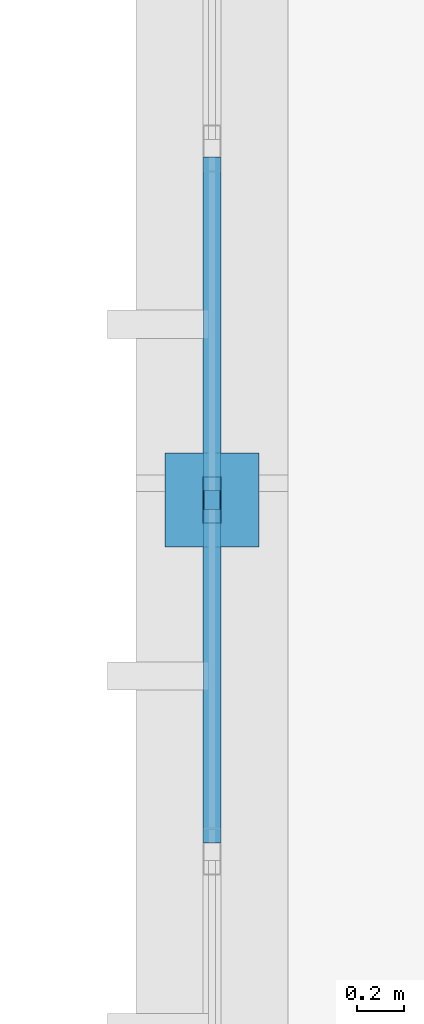
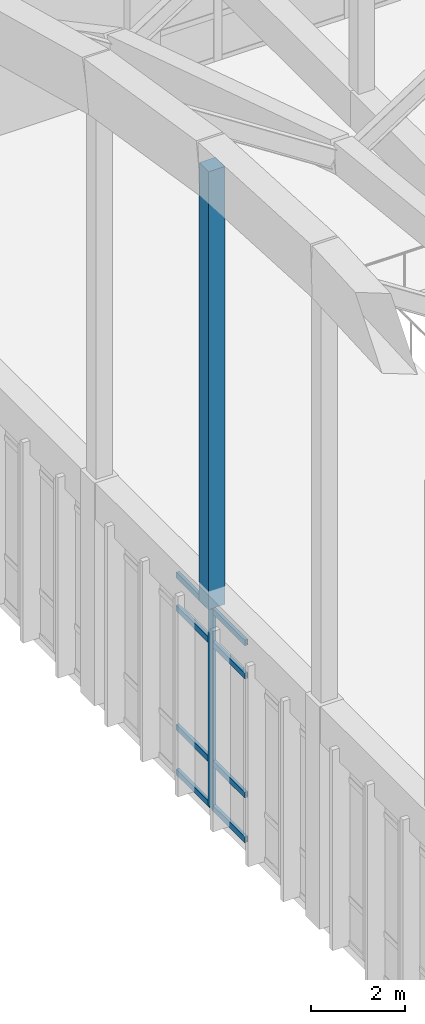
# One storey, part 46 of 236: 10 members, 1 element without a shape of its own.
"""IFC4 building model written with IfcOpenShell, lengths in metres."""

from ifc_helpers import new_model, si_unit, direction, frame, origin, origin_2d, place, context, subcontext, project, spatial, rectangle, hollow_rectangle, extrude, material, layer, layer_set, material_profile, profile_set, type_object, element, aggregate, save


model = new_model("IFC4")

# Units and contexts
model_context = context("Model", 3, precision=1e-05, world=origin(), true_north=direction((0.0, 1.0)))
body_context = subcontext(model_context, "Body", "Model", "MODEL_VIEW")
ifc_project = project(units=[si_unit("LENGTHUNIT", "METRE"), si_unit("AREAUNIT", "SQUARE_METRE"), si_unit("VOLUMEUNIT", "CUBIC_METRE"), si_unit("PLANEANGLEUNIT", "RADIAN"), si_unit("MASSUNIT", "GRAM", prefix="KILO")], contexts=[model_context])

# Site, building, storey
site_placement = place(None, origin())
site = spatial("IfcSite", under=ifc_project, at=site_placement, CompositionType="ELEMENT")
building_placement = place(site_placement, origin())
building = spatial("IfcBuilding", under=site, at=building_placement, Name="Pandanus Reach Market Hall", CompositionType="ELEMENT")
storey_placement = place(building_placement, frame((0.0, 0.0, 5.39990234375)))
storey = spatial("IfcBuildingStorey", under=building, at=storey_placement, Name="L01", CompositionType="ELEMENT", Elevation=5.39990234375)

# Member
ifc_material_1 = material(Name="Concrete N50 (50 MPa)", Category="concrete")
ifc_material_profile_1 = material_profile(ifc_material_1, rectangle(XDim=0.39990234375, YDim=0.39990234375, at=origin_2d()), Name="RC400x400", Category="LoadBearing")
ifc_profile_set_1 = profile_set([ifc_material_profile_1], Name="Concrete N50 (50 MPa)")
member_type_1 = type_object("IfcMemberType", Name="AR-WEB400-E", PredefinedType="STRUT", material=ifc_profile_set_1)
member_1_placement = place(storey_placement, frame((48.0, 62.39990234375, 5.3251953125), z_axis=(0.0, 0.0, 1.0), x_axis=(1.0, 0.0, 0.0)))
element("IfcMember", 1, at=member_1_placement, inside=storey, type_object=member_type_1, Name="Arch truss vertical web strut A1.7", PredefinedType="STRUT", context=body_context, shape_type="SweptSolid", body=[
    extrude(rectangle(XDim=0.39990234375, YDim=0.39990234375, at=origin_2d()), origin(), (0.0, 0.0, 1.0), 11.3994140625),
])

# Curtain wall, members
ifc_material_2 = material(Name="Bronze anodised aluminium and low-E glass", Category="aluminium")
ifc_layer = layer(ifc_material_2, 0.199951171875, Name="CW-05")
ifc_layer_set = layer_set([ifc_layer], Name="Bronze anodised aluminium and low-E glass")
curtain_wall_type = type_object("IfcCurtainWallType", Name="CW-05", PredefinedType="NOTDEFINED", material=ifc_layer_set)
curtain_wall_placement = place(storey_placement, origin())
curtain_wall = element("IfcCurtainWall", 2, at=curtain_wall_placement, inside=storey, type_object=curtain_wall_type, Name="Glazed curtain wall CW-05 CW-0029", PredefinedType="NOTDEFINED")
ifc_material_3 = material(Name="Bronze anodised aluminium", Category="aluminium")
ifc_material_profile_2 = material_profile(ifc_material_3, hollow_rectangle(XDim=0.074951171875, YDim=0.199951171875, WallThickness=0.00439453125, at=origin_2d()), Name="ALU75x200", Category="LoadBearing")
ifc_profile_set_2 = profile_set([ifc_material_profile_2], Name="Bronze anodised aluminium")
member_type_2 = type_object("IfcMemberType", Name="CW-M2", PredefinedType="MULLION", material=ifc_profile_set_2)
member_2_placement = place(storey_placement, frame((48.0, 62.39990234375, 0.0), z_axis=(0.0, 0.0, 1.0), x_axis=(-1.0, 0.0, 0.0)))
member_2 = element("IfcMember", 3, at=member_2_placement, type_object=member_type_2, Name="CW-05 mullion 4", PredefinedType="MULLION", context=body_context, shape_type="SweptSolid", body=[
    extrude(hollow_rectangle(XDim=0.074951171875, YDim=0.199951171875, WallThickness=0.00439453125, at=origin_2d()), origin(), (0.0, 0.0, 1.0), 5.2001953125),
])
ifc_material_profile_3 = material_profile(ifc_material_3, hollow_rectangle(XDim=0.074951171875, YDim=0.14990234375, WallThickness=0.00439453125, at=origin_2d()), Name="ALU75x150", Category="LoadBearing")
ifc_profile_set_3 = profile_set([ifc_material_profile_3], Name="Bronze anodised aluminium")
member_type_3 = type_object("IfcMemberType", Name="CW-T2", PredefinedType="USERDEFINED", material=ifc_profile_set_3)
member_3_placement = place(storey_placement, frame((48.0, 60.9375, 0.03759765625), z_axis=(0.0, 1.0, 0.0), x_axis=(-1.0, 0.0, 0.0)))
member_3 = element("IfcMember", 4, at=member_3_placement, type_object=member_type_3, Name="CW-05 transom 3.1", ObjectType="TRANSOM", PredefinedType="USERDEFINED", context=body_context, shape_type="SweptSolid", body=[
    extrude(hollow_rectangle(XDim=0.074951171875, YDim=0.14990234375, WallThickness=0.00439453125, at=origin_2d()), origin(), (0.0, 0.0, 1.0), 1.425048828125),
])
member_4_placement = place(storey_placement, frame((48.0, 60.9375, 1.2001953125), z_axis=(0.0, 1.0, 0.0), x_axis=(-1.0, 0.0, 0.0)))
member_4 = element("IfcMember", 5, at=member_4_placement, type_object=member_type_3, Name="CW-05 transom 3.2", ObjectType="TRANSOM", PredefinedType="USERDEFINED", context=body_context, shape_type="SweptSolid", body=[
    extrude(hollow_rectangle(XDim=0.074951171875, YDim=0.14990234375, WallThickness=0.00439453125, at=origin_2d()), origin(), (0.0, 0.0, 1.0), 1.425048828125),
])
member_5_placement = place(storey_placement, frame((48.0, 60.9375, 4.300048828125), z_axis=(0.0, 1.0, 0.0), x_axis=(-1.0, 0.0, 0.0)))
member_5 = element("IfcMember", 6, at=member_5_placement, type_object=member_type_3, Name="CW-05 transom 3.3", ObjectType="TRANSOM", PredefinedType="USERDEFINED", context=body_context, shape_type="SweptSolid", body=[
    extrude(hollow_rectangle(XDim=0.074951171875, YDim=0.14990234375, WallThickness=0.00439453125, at=origin_2d()), origin(), (0.0, 0.0, 1.0), 1.425048828125),
])
member_6_placement = place(storey_placement, frame((48.0, 60.9375, 5.16259765625), z_axis=(0.0, 1.0, 0.0), x_axis=(-1.0, 0.0, 0.0)))
member_6 = element("IfcMember", 7, at=member_6_placement, type_object=member_type_3, Name="CW-05 transom 3.4", ObjectType="TRANSOM", PredefinedType="USERDEFINED", context=body_context, shape_type="SweptSolid", body=[
    extrude(hollow_rectangle(XDim=0.074951171875, YDim=0.14990234375, WallThickness=0.00439453125, at=origin_2d()), origin(), (0.0, 0.0, 1.0), 1.425048828125),
])
member_7_placement = place(storey_placement, frame((48.0, 62.4375, 0.03759765625), z_axis=(0.0, 1.0, 0.0), x_axis=(-1.0, 0.0, 0.0)))
member_7 = element("IfcMember", 8, at=member_7_placement, type_object=member_type_3, Name="CW-05 transom 4.1", ObjectType="TRANSOM", PredefinedType="USERDEFINED", context=body_context, shape_type="SweptSolid", body=[
    extrude(hollow_rectangle(XDim=0.074951171875, YDim=0.14990234375, WallThickness=0.00439453125, at=origin_2d()), origin(), (0.0, 0.0, 1.0), 1.425048828125),
])
member_8_placement = place(storey_placement, frame((48.0, 62.4375, 1.2001953125), z_axis=(0.0, 1.0, 0.0), x_axis=(-1.0, 0.0, 0.0)))
member_8 = element("IfcMember", 9, at=member_8_placement, type_object=member_type_3, Name="CW-05 transom 4.2", ObjectType="TRANSOM", PredefinedType="USERDEFINED", context=body_context, shape_type="SweptSolid", body=[
    extrude(hollow_rectangle(XDim=0.074951171875, YDim=0.14990234375, WallThickness=0.00439453125, at=origin_2d()), origin(), (0.0, 0.0, 1.0), 1.425048828125),
])
member_9_placement = place(storey_placement, frame((48.0, 62.4375, 4.300048828125), z_axis=(0.0, 1.0, 0.0), x_axis=(-1.0, 0.0, 0.0)))
member_9 = element("IfcMember", 10, at=member_9_placement, type_object=member_type_3, Name="CW-05 transom 4.3", ObjectType="TRANSOM", PredefinedType="USERDEFINED", context=body_context, shape_type="SweptSolid", body=[
    extrude(hollow_rectangle(XDim=0.074951171875, YDim=0.14990234375, WallThickness=0.00439453125, at=origin_2d()), origin(), (0.0, 0.0, 1.0), 1.425048828125),
])
member_10_placement = place(storey_placement, frame((48.0, 62.4375, 5.16259765625), z_axis=(0.0, 1.0, 0.0), x_axis=(-1.0, 0.0, 0.0)))
member_10 = element("IfcMember", 11, at=member_10_placement, type_object=member_type_3, Name="CW-05 transom 4.4", ObjectType="TRANSOM", PredefinedType="USERDEFINED", context=body_context, shape_type="SweptSolid", body=[
    extrude(hollow_rectangle(XDim=0.074951171875, YDim=0.14990234375, WallThickness=0.00439453125, at=origin_2d()), origin(), (0.0, 0.0, 1.0), 1.425048828125),
])
aggregate(curtain_wall, [member_2, member_3, member_4, member_5, member_6, member_7, member_8, member_9, member_10])

save(model, "model.ifc")
